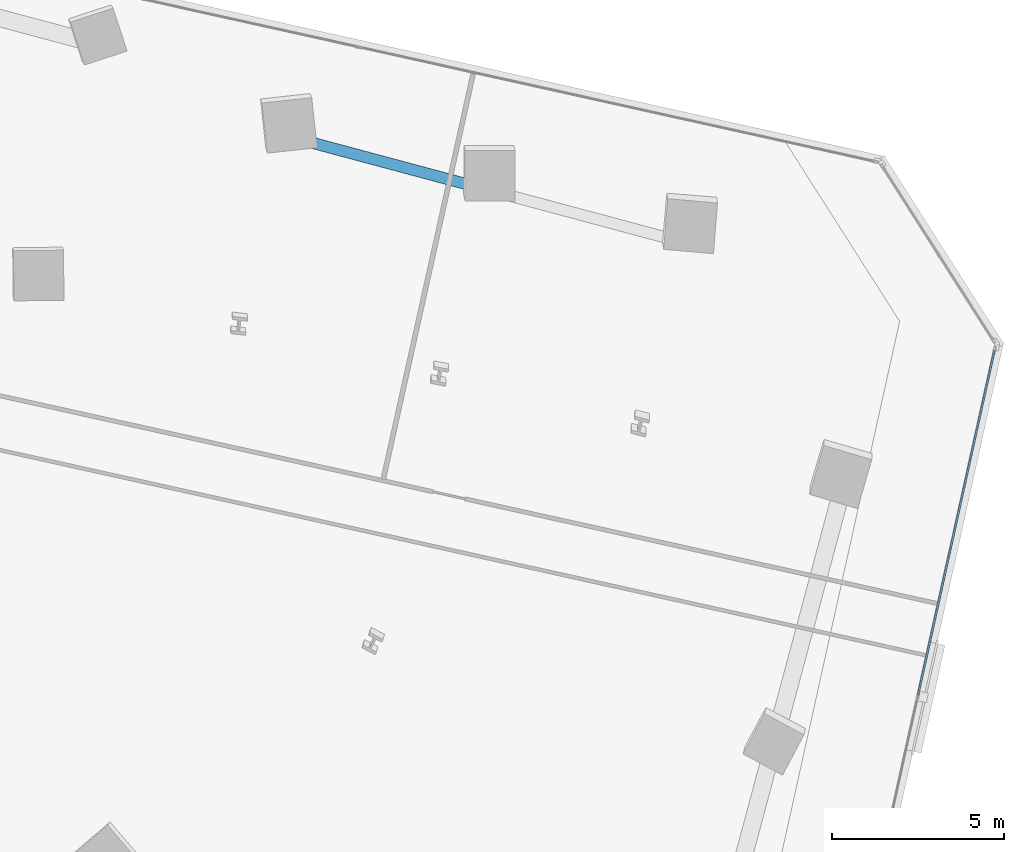
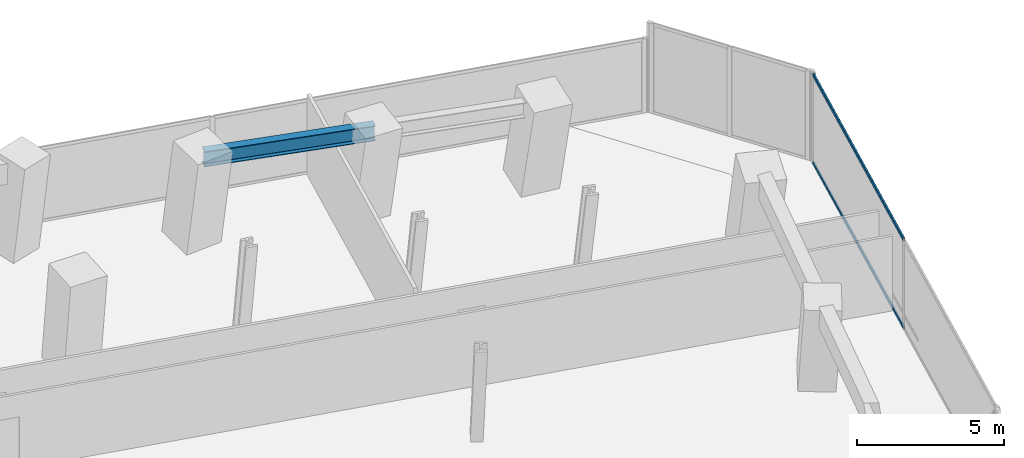
# One storey, part 12 of 26: 2 members, 1 beam, 1 element without a shape of its own.
"""IFC4 building model written with IfcOpenShell, lengths in metres."""

from ifc_helpers import new_model, si_unit, direction, frame, origin, origin_2d, place, context, subcontext, project, spatial, hollow_rectangle, i_section, extrude, source, transform, mapped, material, material_profile, profile_set, type_object, element, aggregate, save


model = new_model("IFC4")

# Units and contexts
model_context = context("Model", 3, precision=1e-05, world=origin(), true_north=direction((0.0, 1.0)))
body_context = subcontext(model_context, "Body", "Model", "MODEL_VIEW")
ifc_project = project(units=[si_unit("LENGTHUNIT", "METRE"), si_unit("AREAUNIT", "SQUARE_METRE"), si_unit("VOLUMEUNIT", "CUBIC_METRE"), si_unit("PLANEANGLEUNIT", "RADIAN"), si_unit("MASSUNIT", "GRAM", prefix="KILO")], contexts=[model_context])

# Site, building, storey
site_placement = place(None, origin())
site = spatial("IfcSite", under=ifc_project, at=site_placement, CompositionType="ELEMENT")
building_placement = place(site_placement, origin())
building = spatial("IfcBuilding", under=site, at=building_placement, Name="Torre Montelarca", CompositionType="ELEMENT")
storey_placement = place(building_placement, frame((0.0, 0.0, 95.800048828125)))
storey = spatial("IfcBuildingStorey", under=building, at=storey_placement, Name="L21", CompositionType="ELEMENT", Elevation=95.800048828125)

# Beam
ifc_material_1 = material(Name="Steel ASTM A992 Grade 50", Category="steel")
ifc_material_profile_1 = material_profile(ifc_material_1, i_section(OverallWidth=0.326904296875, OverallDepth=0.6220703125, WebThickness=0.015380859375, FlangeThickness=0.0244140625, FilletRadius=0.014892578125, at=origin_2d()), Name="W610X195", Category="steel")
ifc_profile_set_1 = profile_set([ifc_material_profile_1], Name="Steel ASTM A992 Grade 50")
beam_type = type_object("IfcBeamType", Name="BM-G-W610H", PredefinedType="BEAM", material=ifc_profile_set_1)
shared_shape_1 = source(origin(), body_context, "Body", "SweptSolid", [
    extrude(i_section(OverallWidth=0.326904296875, OverallDepth=0.6220703125, WebThickness=0.015380859375, FlangeThickness=0.0244140625, FilletRadius=0.014892578125, at=origin_2d()), origin(), (0.0, 0.0, 1.0), 6.0),
])
beam_placement = place(storey_placement, frame((44.9248046875, 40.21728515625, 3.64892578125), z_axis=(0.965924258502, -0.258824896092, 0.0), x_axis=(0.258824896092, 0.965924258502, 0.0)))
element("IfcBeam", 1, at=beam_placement, inside=storey, type_object=beam_type, Name="L21 Grid Girder X 42.0-48.0 at Y=46.0", PredefinedType="BEAM", context=body_context, shape_type="MappedRepresentation", body=[
    mapped(shared_shape_1, transform((0.0, 0.0, 0.0), scale=1.0)),
])

# Curtain wall, members
ifc_material_2 = material(Name="Insulated low-E laminated glass", Category="glass")
curtain_wall_type = type_object("IfcCurtainWallType", Name="CW-SYS-Z1", PredefinedType="USERDEFINED", material=ifc_material_2)
curtain_wall_placement = place(storey_placement, origin())
curtain_wall = element("IfcCurtainWall", 2, at=curtain_wall_placement, inside=storey, type_object=curtain_wall_type, Name="L21 Curtain Wall Run CW-T3-L21-E06-B1", ObjectType="UNITISED GLAZING", PredefinedType="USERDEFINED")
ifc_material_3 = material(Name="Anodised aluminium AA 6063-T6", Category="aluminium")
ifc_material_profile_2 = material_profile(ifc_material_3, hollow_rectangle(XDim=0.06494140625, YDim=0.139892578125, WallThickness=0.00390625, InnerFilletRadius=0.00390625, OuterFilletRadius=0.008056640625, at=origin_2d()), Name="ALU65X140X4", Category="aluminium")
ifc_profile_set_2 = profile_set([ifc_material_profile_2], Name="Anodised aluminium AA 6063-T6")
member_type = type_object("IfcMemberType", Name="CWT-ALU140", PredefinedType="USERDEFINED", material=ifc_profile_set_2)
shared_shape_2 = source(origin(), body_context, "Body", "SweptSolid", [
    extrude(hollow_rectangle(XDim=0.06494140625, YDim=0.139892578125, WallThickness=0.00390625, InnerFilletRadius=0.00390625, OuterFilletRadius=0.008056640625, at=origin_2d()), origin(), (0.0, 0.0, 1.0), 10.236572265625),
])
member_1_placement = place(storey_placement, frame((63.03466796875, 24.054443359375, 0.032470703125), z_axis=(0.216460732055, 0.976291325107, 0.0), x_axis=(-0.976291325107, 0.216460732055, 0.0)))
member_1 = element("IfcMember", 3, at=member_1_placement, type_object=member_type, Name="CW transom 2.1", ObjectType="TRANSOM", PredefinedType="USERDEFINED", context=body_context, shape_type="MappedRepresentation", body=[
    mapped(shared_shape_2, transform((0.0, 0.0, 0.0), scale=1.0)),
])
member_2_placement = place(storey_placement, frame((63.03466796875, 24.054443359375, 3.6875), z_axis=(0.216460732055, 0.976291325107, 0.0), x_axis=(-0.976291325107, 0.216460732055, 0.0)))
member_2 = element("IfcMember", 4, at=member_2_placement, type_object=member_type, Name="CW transom 2.2", ObjectType="TRANSOM", PredefinedType="USERDEFINED", context=body_context, shape_type="MappedRepresentation", body=[
    mapped(shared_shape_2, transform((0.0, 0.0, 0.0), scale=1.0)),
])
aggregate(curtain_wall, [member_1, member_2])

save(model, "model.ifc")
